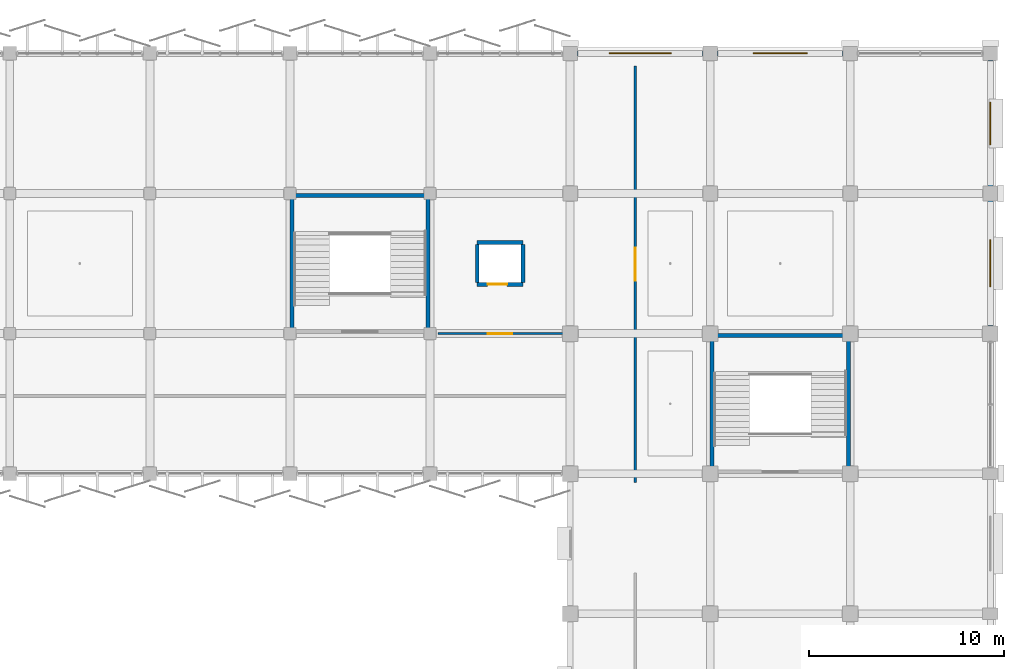
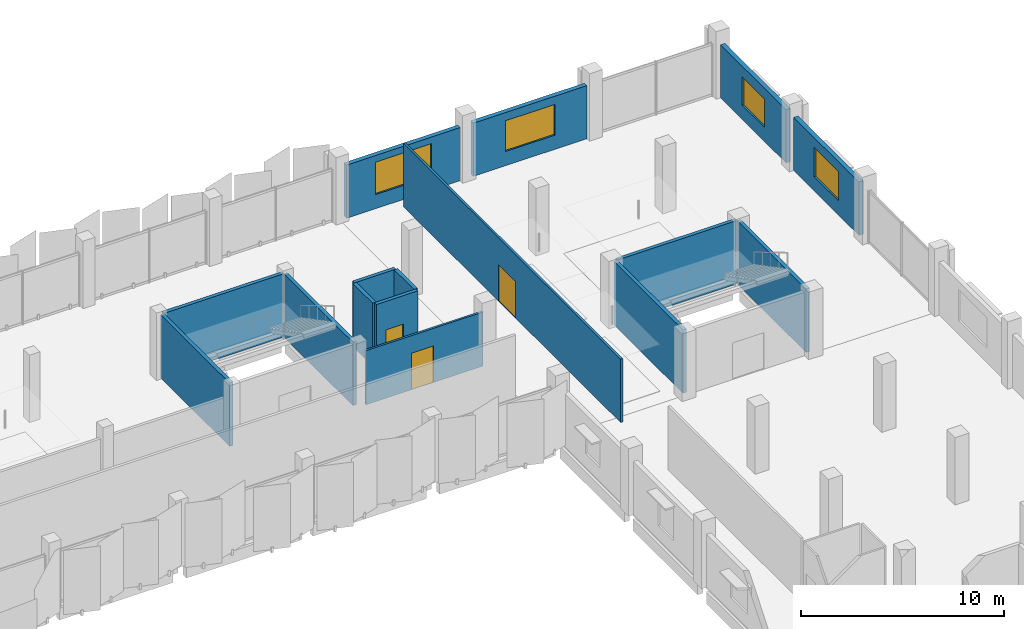
# One storey, part 85 of 107: 16 walls, 4 windows, 3 doors, 7 openings.
"""IFC4 building model written with IfcOpenShell, lengths in metres."""

from ifc_helpers import new_model, si_unit, direction, frame, frame_2d, origin, place, context, subcontext, project, spatial, rectangle, extrude, material, layer, layer_set, type_object, element, fill, save


model = new_model("IFC4")

# Units and contexts
model_context = context("Model", 3, precision=1e-05, world=origin(), true_north=direction((0.0, 1.0)))
body_context = subcontext(model_context, "Body", "Model", "MODEL_VIEW")
ifc_project = project(units=[si_unit("LENGTHUNIT", "METRE"), si_unit("AREAUNIT", "SQUARE_METRE"), si_unit("VOLUMEUNIT", "CUBIC_METRE"), si_unit("PLANEANGLEUNIT", "RADIAN"), si_unit("MASSUNIT", "GRAM", prefix="KILO")], contexts=[model_context])

# Site, building, storey
site_placement = place(None, origin())
site = spatial("IfcSite", under=ifc_project, at=site_placement, CompositionType="ELEMENT")
building_placement = place(site_placement, origin())
building = spatial("IfcBuilding", under=site, at=building_placement, Name="Kangsadwip Square Police Headquarters", CompositionType="ELEMENT")
storey_placement = place(building_placement, frame((0.0, 0.0, 5.39990234375)))
storey = spatial("IfcBuildingStorey", under=building, at=storey_placement, Name="L01", CompositionType="ELEMENT", Elevation=5.39990234375)

# Wall, opening, door
ifc_material_1 = material(Name="Fire-rated double gypsum board acoustic stud partition", Category="masonry")
ifc_layer_1 = layer(ifc_material_1, 0.1201171875)
ifc_layer_set_1 = layer_set([ifc_layer_1], Name="Fire-rated double gypsum board acoustic stud partition")
wall_type_1 = type_object("IfcWallType", Name="AcousticPartition120", PredefinedType="PARTITIONING", material=ifc_layer_set_1)
wall_1_placement = place(storey_placement, frame((137.199951171875, 100.800048828125, 0.0), z_axis=(0.0, 0.0, 1.0), x_axis=(1.0, 0.0, 0.0)))
wall_1 = element("IfcWall", 1, at=wall_1_placement, inside=storey, type_object=wall_type_1, Name="Interior Wall WI-L01-0735", PredefinedType="PARTITIONING", context=body_context, shape_type="SweptSolid", body=[
    extrude(rectangle(XDim=6.650146484375, YDim=0.1201171875, at=frame_2d((3.3251953125, 0.0))), origin(), (0.0, 0.0, 1.0), 3.25),
])
opening_1_placement = place(wall_1_placement, frame((2.571044921875, 0.0, 0.0)))
opening_1 = element("IfcOpeningElement", 2, at=opening_1_placement, cuts=wall_1, Name="Opening ID-12A", PredefinedType="OPENING", context=body_context, shape_type="SweptSolid", body=[
    extrude(rectangle(XDim=1.25, YDim=2.199951171875, at=frame_2d((0.625, 1.10009765625))), frame((0.0, 0.070068359375, 0.0), z_axis=(0.0, -1.0, 0.0), x_axis=(1.0, 0.0, 0.0)), (0.0, 0.0, 1.0), 0.14013671875),
])
ifc_material_2 = material(Name="Solid-core seasoned teak hardwood architectural door", Category="wood")
door_type_1 = type_object("IfcDoorType", Name="ClassroomDoor1250x2200", OperationType="NOTDEFINED", PredefinedType="DOOR", material=ifc_material_2)
door_1_placement = place(opening_1_placement, origin())
door_1 = element("IfcDoor", 3, at=door_1_placement, inside=storey, type_object=door_type_1, Name="Interior Door ID-L01-0165", OperationType="SINGLE_SWING_LEFT", OverallHeight=2.199951171875, OverallWidth=1.25, PredefinedType="DOOR", context=body_context, shape_type="SweptSolid", body=[
    extrude(rectangle(XDim=1.25, YDim=2.199951171875, at=frame_2d((0.625, 1.10009765625))), frame((0.0, 0.02490234375, 0.0), z_axis=(0.0, -1.0, 0.0), x_axis=(1.0, 0.0, 0.0)), (0.0, 0.0, 1.0), 0.050048828125),
])
fill(opening_1, door_1)

wall_2_placement = place(storey_placement, frame((147.35009765625, 93.14990234375, 0.0), z_axis=(0.0, 0.0, 1.0), x_axis=(0.0, 1.0, 0.0)))
wall_2 = element("IfcWall", 4, at=wall_2_placement, inside=storey, type_object=wall_type_1, Name="Interior Wall WI-L01-0736", PredefinedType="PARTITIONING", context=body_context, shape_type="SweptSolid", body=[
    extrude(rectangle(XDim=21.400146484375, YDim=0.1201171875, at=frame_2d((10.7001953125, 0.0))), origin(), (0.0, 0.0, 1.0), 3.81005859375),
])
opening_2_placement = place(wall_2_placement, frame((10.35498046875, 0.0, 0.0)))
opening_2 = element("IfcOpeningElement", 5, at=opening_2_placement, cuts=wall_2, Name="Opening ID-17", PredefinedType="OPENING", context=body_context, shape_type="SweptSolid", body=[
    extrude(rectangle(XDim=1.699951171875, YDim=2.199951171875, at=frame_2d((0.85009765625, 1.10009765625))), frame((0.0, 0.070068359375, 0.0), z_axis=(0.0, -1.0, 0.0), x_axis=(1.0, 0.0, 0.0)), (0.0, 0.0, 1.0), 0.14013671875),
])
ifc_material_3 = material(Name="Insulated galvanized steel fire-rated door assembly", Category="steel")
door_type_2 = type_object("IfcDoorType", Name="LabDoubleDoor1700x2200", OperationType="DOUBLE_DOOR_SINGLE_SWING", PredefinedType="DOOR", material=ifc_material_3)
door_2_placement = place(opening_2_placement, origin())
door_2 = element("IfcDoor", 6, at=door_2_placement, inside=storey, type_object=door_type_2, Name="Interior Door ID-L01-0166", OperationType="DOUBLE_DOOR_SINGLE_SWING", OverallHeight=2.199951171875, OverallWidth=1.699951171875, PredefinedType="DOOR", context=body_context, shape_type="SweptSolid", body=[
    extrude(rectangle(XDim=1.699951171875, YDim=2.199951171875, at=frame_2d((0.85009765625, 1.10009765625))), frame((0.0, 0.02490234375, 0.0), z_axis=(0.0, -1.0, 0.0), x_axis=(1.0, 0.0, 0.0)), (0.0, 0.0, 1.0), 0.050048828125),
])
fill(opening_2, door_2)

# Wall, opening, window
ifc_material_4 = material(Name="Glazed architectural terracotta masonry rainscreen", Category="masonry")
ifc_layer_2 = layer(ifc_material_4, 0.25)
ifc_layer_set_2 = layer_set([ifc_layer_2], Name="Glazed architectural terracotta masonry rainscreen")
wall_type_2 = type_object("IfcWallType", Name="ChicagoTerracottaWall250", PredefinedType="SOLIDWALL", material=ifc_layer_set_2)
wall_3_placement = place(storey_placement, frame((144.3701171875, 115.199951171875, 0.0), z_axis=(0.0, 0.0, 1.0), x_axis=(1.0, 0.0, 0.0)))
wall_3 = element("IfcWall", 7, at=wall_3_placement, inside=storey, type_object=wall_type_2, Name="Exterior Wall WE-L01-243", PredefinedType="SOLIDWALL", context=body_context, shape_type="SweptSolid", body=[
    extrude(rectangle(XDim=6.4599609375, YDim=0.25, at=frame_2d((3.22998046875, 0.0))), origin(), (0.0, 0.0, 1.0), 3.195068359375),
])
opening_3_placement = place(wall_3_placement, frame((1.6298828125, 0.0, 0.85009765625)))
opening_3 = element("IfcOpeningElement", 8, at=opening_3_placement, cuts=wall_3, Name="Opening WN-03", PredefinedType="OPENING", context=body_context, shape_type="SweptSolid", body=[
    extrude(rectangle(XDim=3.199951171875, YDim=1.949951171875, at=frame_2d((1.60009765625, 0.97509765625))), frame((0.0, 0.135009765625, 0.0), z_axis=(0.0, -1.0, 0.0), x_axis=(1.0, 0.0, 0.0)), (0.0, 0.0, 1.0), 0.27001953125),
])
ifc_material_5 = material(Name="Double-glazed solar-control low-E safety glass", Category="glass")
window_type_1 = type_object("IfcWindowType", Name="ChicagoTripartiteWin3200x1950", PartitioningType="TRIPLE_PANEL_HORIZONTAL", PredefinedType="WINDOW", material=ifc_material_5)
window_1_placement = place(opening_3_placement, origin())
window_1 = element("IfcWindow", 9, at=window_1_placement, inside=storey, type_object=window_type_1, Name="Window WN-L01-0096", OverallHeight=1.949951171875, OverallWidth=3.199951171875, PartitioningType="SINGLE_PANEL", PredefinedType="WINDOW", context=body_context, shape_type="SweptSolid", body=[
    extrude(rectangle(XDim=3.199951171875, YDim=1.949951171875, at=frame_2d((1.60009765625, 0.97509765625))), frame((0.0, 0.030029296875, 0.0), z_axis=(0.0, -1.0, 0.0), x_axis=(1.0, 0.0, 0.0)), (0.0, 0.0, 1.0), 0.06005859375),
])
fill(opening_3, window_1)

wall_4_placement = place(storey_placement, frame((151.570068359375, 115.199951171875, 0.0), z_axis=(0.0, 0.0, 1.0), x_axis=(1.0, 0.0, 0.0)))
wall_4 = element("IfcWall", 10, at=wall_4_placement, inside=storey, type_object=wall_type_2, Name="Exterior Wall WE-L01-244", PredefinedType="SOLIDWALL", context=body_context, shape_type="SweptSolid", body=[
    extrude(rectangle(XDim=6.4599609375, YDim=0.25, at=frame_2d((3.22998046875, 0.0))), origin(), (0.0, 0.0, 1.0), 3.195068359375),
])
opening_4_placement = place(wall_4_placement, frame((1.830078125, 0.0, 0.85009765625)))
opening_4 = element("IfcOpeningElement", 11, at=opening_4_placement, cuts=wall_4, Name="Opening WN-05", PredefinedType="OPENING", context=body_context, shape_type="SweptSolid", body=[
    extrude(rectangle(XDim=2.800048828125, YDim=1.85009765625, at=frame_2d((1.39990234375, 0.925048828125))), frame((0.0, 0.135009765625, 0.0), z_axis=(0.0, -1.0, 0.0), x_axis=(1.0, 0.0, 0.0)), (0.0, 0.0, 1.0), 0.27001953125),
])
ifc_material_6 = material(Name="Double-glazed solar-control low-E safety glass", Category="glass")
window_type_2 = type_object("IfcWindowType", Name="ChicagoDoubleMullWin2800x1850", PartitioningType="DOUBLE_PANEL_VERTICAL", PredefinedType="WINDOW", material=ifc_material_6)
window_2_placement = place(opening_4_placement, origin())
window_2 = element("IfcWindow", 12, at=window_2_placement, inside=storey, type_object=window_type_2, Name="Window WN-L01-0097", OverallHeight=1.85009765625, OverallWidth=2.800048828125, PartitioningType="SINGLE_PANEL", PredefinedType="WINDOW", context=body_context, shape_type="SweptSolid", body=[
    extrude(rectangle(XDim=2.800048828125, YDim=1.85009765625, at=frame_2d((1.39990234375, 0.925048828125))), frame((0.0, 0.030029296875, 0.0), z_axis=(0.0, -1.0, 0.0), x_axis=(1.0, 0.0, 0.0)), (0.0, 0.0, 1.0), 0.06005859375),
])
fill(opening_4, window_2)

wall_5_placement = place(storey_placement, frame((165.60009765625, 101.195068359375, 0.0), z_axis=(0.0, 0.0, 1.0), x_axis=(0.0, 1.0, 0.0)))
wall_5 = element("IfcWall", 13, at=wall_5_placement, inside=storey, type_object=wall_type_2, Name="Exterior Wall WE-L01-291", PredefinedType="SOLIDWALL", context=body_context, shape_type="SweptSolid", body=[
    extrude(rectangle(XDim=6.434814453125, YDim=0.25, at=frame_2d((3.21728515625, 0.0))), origin(), (0.0, 0.0, 1.0), 3.195068359375),
])
opening_5_placement = place(wall_5_placement, frame((2.017578125, 0.0, 0.85009765625)))
opening_5 = element("IfcOpeningElement", 14, at=opening_5_placement, cuts=wall_5, Name="Opening WN-07", PredefinedType="OPENING", context=body_context, shape_type="SweptSolid", body=[
    extrude(rectangle(XDim=2.39990234375, YDim=1.75, at=frame_2d((1.199951171875, 0.875))), frame((0.0, 0.135009765625, 0.0), z_axis=(0.0, -1.0, 0.0), x_axis=(1.0, 0.0, 0.0)), (0.0, 0.0, 1.0), 0.27001953125),
])
ifc_material_7 = material(Name="Double-glazed solar-control low-E safety glass", Category="glass")
window_type_3 = type_object("IfcWindowType", Name="ChicagoDoubleMullWin2400x1750", PartitioningType="DOUBLE_PANEL_VERTICAL", PredefinedType="WINDOW", material=ifc_material_7)
window_3_placement = place(opening_5_placement, origin())
window_3 = element("IfcWindow", 15, at=window_3_placement, inside=storey, type_object=window_type_3, Name="Window WN-L01-0144", OverallHeight=1.75, OverallWidth=2.39990234375, PartitioningType="SINGLE_PANEL", PredefinedType="WINDOW", context=body_context, shape_type="SweptSolid", body=[
    extrude(rectangle(XDim=2.39990234375, YDim=1.75, at=frame_2d((1.199951171875, 0.875))), frame((0.0, 0.030029296875, 0.0), z_axis=(0.0, -1.0, 0.0), x_axis=(1.0, 0.0, 0.0)), (0.0, 0.0, 1.0), 0.06005859375),
])
fill(opening_5, window_3)

wall_6_placement = place(storey_placement, frame((165.60009765625, 108.3701171875, 0.0), z_axis=(0.0, 0.0, 1.0), x_axis=(0.0, 1.0, 0.0)))
wall_6 = element("IfcWall", 16, at=wall_6_placement, inside=storey, type_object=wall_type_2, Name="Exterior Wall WE-L01-292", PredefinedType="SOLIDWALL", context=body_context, shape_type="SweptSolid", body=[
    extrude(rectangle(XDim=6.4599609375, YDim=0.25, at=frame_2d((3.22998046875, 0.0))), origin(), (0.0, 0.0, 1.0), 3.195068359375),
])
opening_6_placement = place(wall_6_placement, frame((2.1298828125, 0.0, 0.85009765625)))
opening_6 = element("IfcOpeningElement", 17, at=opening_6_placement, cuts=wall_6, Name="Opening WN-08", PredefinedType="OPENING", context=body_context, shape_type="SweptSolid", body=[
    extrude(rectangle(XDim=2.199951171875, YDim=1.699951171875, at=frame_2d((1.10009765625, 0.85009765625))), frame((0.0, 0.135009765625, 0.0), z_axis=(0.0, -1.0, 0.0), x_axis=(1.0, 0.0, 0.0)), (0.0, 0.0, 1.0), 0.27001953125),
])
ifc_material_8 = material(Name="Double-glazed solar-control low-E safety glass", Category="glass")
window_type_4 = type_object("IfcWindowType", Name="ChicagoDoubleMullWin2200x1700", PartitioningType="DOUBLE_PANEL_VERTICAL", PredefinedType="WINDOW", material=ifc_material_8)
window_4_placement = place(opening_6_placement, origin())
window_4 = element("IfcWindow", 18, at=window_4_placement, inside=storey, type_object=window_type_4, Name="Window WN-L01-0145", OverallHeight=1.699951171875, OverallWidth=2.199951171875, PartitioningType="SINGLE_PANEL", PredefinedType="WINDOW", context=body_context, shape_type="SweptSolid", body=[
    extrude(rectangle(XDim=2.199951171875, YDim=1.699951171875, at=frame_2d((1.10009765625, 0.85009765625))), frame((0.0, 0.030029296875, 0.0), z_axis=(0.0, -1.0, 0.0), x_axis=(1.0, 0.0, 0.0)), (0.0, 0.0, 1.0), 0.06005859375),
])
fill(opening_6, window_4)

# Walls
ifc_material_9 = material(Name="Concrete M40 (40 MPa)", Category="concrete")
ifc_layer_3 = layer(ifc_material_9, 0.199951171875)
ifc_layer_set_3 = layer_set([ifc_layer_3], Name="Concrete M40 (40 MPa)")
wall_type_3 = type_object("IfcWallType", Name="CoreShearWall200", PredefinedType="SHEAR", material=ifc_layer_set_3)
for number, where, z_axis, x_axis, name in (
    (19, (151.39990234375, 100.699951171875, 0.0), (0.0, 0.0, 1.0), (1.0, 0.0, 0.0), "Interior Wall WI-L01-0134"),
    (20, (151.300048828125, 93.800048828125, 0.0), (0.0, 0.0, 1.0), (0.0, 1.0, 0.0), "Interior Wall WI-L01-0135"),
    (21, (158.300048828125, 93.800048828125, 0.0), (0.0, 0.0, 1.0), (0.0, 1.0, 0.0), "Interior Wall WI-L01-0136"),
    (22, (129.800048828125, 107.89990234375, 0.0), (0.0, 0.0, 1.0), (1.0, 0.0, 0.0), "Interior Wall WI-L01-0162"),
    (23, (129.699951171875, 101.0, 0.0), (0.0, 0.0, 1.0), (0.0, 1.0, 0.0), "Interior Wall WI-L01-0163"),
    (24, (136.699951171875, 101.0, 0.0), (0.0, 0.0, 1.0), (0.0, 1.0, 0.0), "Interior Wall WI-L01-0164"),
):
    element("IfcWall", number, at=place(storey_placement, frame(where, z_axis=z_axis, x_axis=x_axis)), inside=storey, type_object=wall_type_3, Name=name, PredefinedType="SHEAR", context=body_context, shape_type="SweptSolid", body=[
        extrude(rectangle(XDim=6.800048828125, YDim=0.199951171875, at=frame_2d((3.39990234375, 0.0))), origin(), (0.0, 0.0, 1.0), 3.81005859375),
    ])

# Wall, opening, door
wall_7_placement = place(storey_placement, frame((139.22509765625, 103.324951171875, 0.0), z_axis=(0.0, 0.0, 1.0), x_axis=(1.0, 0.0, 0.0)))
wall_7 = element("IfcWall", 25, at=wall_7_placement, inside=storey, type_object=wall_type_3, Name="Interior Wall WI-L01-0467", PredefinedType="SHEAR", context=body_context, shape_type="SweptSolid", body=[
    extrude(rectangle(XDim=2.349853515625, YDim=0.199951171875, at=frame_2d((1.1748046875, 0.0))), origin(), (0.0, 0.0, 1.0), 3.81005859375),
])
opening_7_placement = place(wall_7_placement, frame((0.532958984375, 0.0, 0.0)))
opening_7 = element("IfcOpeningElement", 26, at=opening_7_placement, cuts=wall_7, Name="Opening LD-054", PredefinedType="OPENING", context=body_context, shape_type="SweptSolid", body=[
    extrude(rectangle(XDim=1.0, YDim=2.10009765625, at=frame_2d((0.5, 1.050048828125))), frame((0.0, 0.10986328125, 0.0), z_axis=(0.0, -1.0, 0.0), x_axis=(1.0, 0.0, 0.0)), (0.0, 0.0, 1.0), 0.219970703125),
])
ifc_material_10 = material(Name="Brushed stainless steel automatic sliding lift landing door", Category="steel")
door_type_3 = type_object("IfcDoorType", Name="LiftLandingDoor1000x2100", OperationType="DOUBLE_DOOR_SLIDING", PredefinedType="DOOR", material=ifc_material_10)
door_3_placement = place(opening_7_placement, origin())
door_3 = element("IfcDoor", 27, at=door_3_placement, inside=storey, type_object=door_type_3, Name="Interior Door LD-054", OperationType="DOUBLE_DOOR_SLIDING", OverallHeight=2.10009765625, OverallWidth=1.0, PredefinedType="DOOR", context=body_context, shape_type="SweptSolid", body=[
    extrude(rectangle(XDim=1.0, YDim=2.10009765625, at=frame_2d((0.5, 1.050048828125))), frame((0.0, 0.02490234375, 0.0), z_axis=(0.0, -1.0, 0.0), x_axis=(1.0, 0.0, 0.0)), (0.0, 0.0, 1.0), 0.050048828125),
])
fill(opening_7, door_3)

# Walls
wall_8_placement = place(storey_placement, frame((139.22509765625, 105.47509765625, 0.0), z_axis=(0.0, 0.0, 1.0), x_axis=(1.0, 0.0, 0.0)))
element("IfcWall", 28, at=wall_8_placement, inside=storey, type_object=wall_type_3, Name="Interior Wall WI-L01-0468", PredefinedType="SHEAR", context=body_context, shape_type="SweptSolid", body=[
    extrude(rectangle(XDim=2.349853515625, YDim=0.199951171875, at=frame_2d((1.1748046875, 0.0))), origin(), (0.0, 0.0, 1.0), 3.81005859375),
])
for number, where, z_axis, x_axis, name in (
    (29, (139.22509765625, 103.425048828125, 0.0), (0.0, 0.0, 1.0), (0.0, 1.0, 0.0), "Interior Wall WI-L01-0469"),
    (30, (141.574951171875, 103.425048828125, 0.0), (0.0, 0.0, 1.0), (0.0, 1.0, 0.0), "Interior Wall WI-L01-0470"),
):
    element("IfcWall", number, at=place(storey_placement, frame(where, z_axis=z_axis, x_axis=x_axis)), inside=storey, type_object=wall_type_3, Name=name, PredefinedType="SHEAR", context=body_context, shape_type="SweptSolid", body=[
        extrude(rectangle(XDim=1.949951171875, YDim=0.199951171875, at=frame_2d((0.97509765625, 0.0))), origin(), (0.0, 0.0, 1.0), 3.81005859375),
    ])

save(model, "model.ifc")
